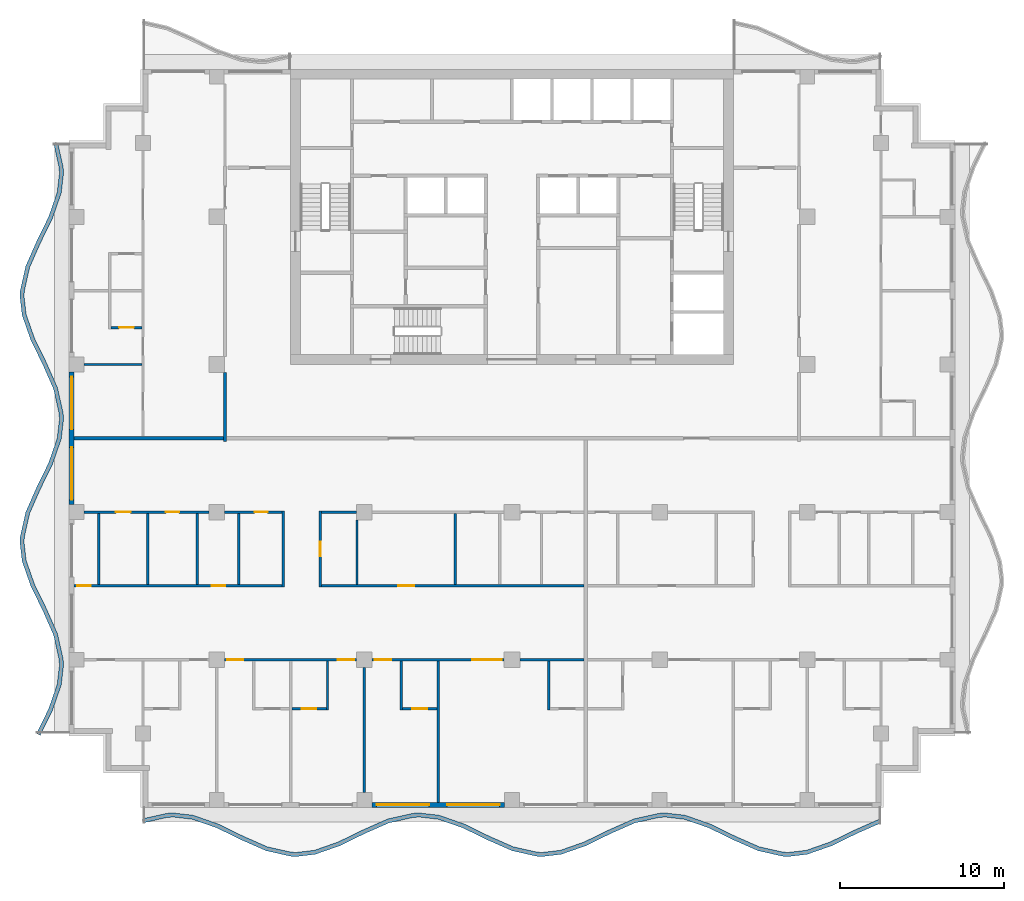
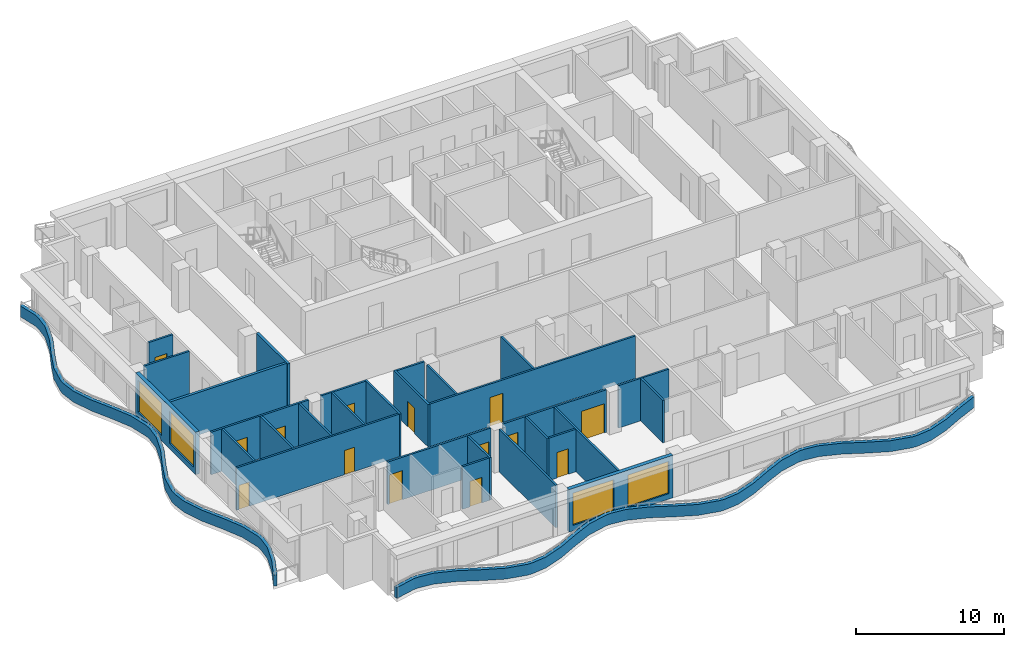
# One storey, part 2 of 11: 31 walls, 14 doors, 4 windows, 18 openings.
"""IFC4 building model written with IfcOpenShell, lengths in metres."""

from ifc_helpers import new_model, si_unit, direction, frame, frame_2d, origin, place, context, subcontext, project, spatial, polyline, rectangle, outline, extrude, material, layer, layer_set, type_object, element, fill, save


model = new_model("IFC4")

# Units and contexts
model_context = context("Model", 3, precision=1e-05, world=origin(), true_north=direction((0.0, 1.0)))
body_context = subcontext(model_context, "Body", "Model", "MODEL_VIEW")
ifc_project = project(units=[si_unit("LENGTHUNIT", "METRE"), si_unit("AREAUNIT", "SQUARE_METRE"), si_unit("VOLUMEUNIT", "CUBIC_METRE"), si_unit("PLANEANGLEUNIT", "RADIAN"), si_unit("MASSUNIT", "GRAM", prefix="KILO")], contexts=[model_context])

# Site, building, storey
site_placement = place(None, origin())
site = spatial("IfcSite", under=ifc_project, at=site_placement, CompositionType="ELEMENT")
building_placement = place(site_placement, origin())
building = spatial("IfcBuilding", under=site, at=building_placement, Name="Orbiselva Terraces", CompositionType="ELEMENT")
storey_placement = place(building_placement, frame((0.0, 0.0, 261.6)))
storey = spatial("IfcBuildingStorey", under=building, at=storey_placement, Name="L66", CompositionType="ELEMENT", Elevation=261.6)

# Walls
ifc_material_1 = material(Name="Concrete C40/50", Category="concrete")
ifc_layer_1 = layer(ifc_material_1, 0.25)
ifc_layer_set_1 = layer_set([ifc_layer_1], Name="Concrete C40/50")
wall_type_1 = type_object("IfcWallType", Name="ENV-PLANTER-250x900", PredefinedType="USERDEFINED", material=ifc_layer_set_1)
wall_1_placement = place(storey_placement, origin())
element("IfcWall", 1, at=wall_1_placement, inside=storey, type_object=wall_type_1, Name="Balcony planter L66 S", ObjectType="PLANTER", PredefinedType="USERDEFINED", context=body_context, shape_type="SweptSolid", body=[
    extrude(outline(polyline([(-22.5, -23.451472), (-21.0, -23.114774), (-20.625, -23.1), (-19.5, -23.230792), (-18.0, -23.755211), (-16.5, -24.487721), (-15.0, -25.148528), (-13.5, -25.485226), (-13.125, -25.5), (-12.0, -25.369208), (-10.5, -24.844789), (-9.0, -24.112279), (-7.5, -23.451472), (-6.0, -23.114774), (-5.625, -23.1), (-4.5, -23.230792), (-3.0, -23.755211), (-1.5, -24.487721), (0.0, -25.148528), (1.5, -25.485226), (1.875, -25.5), (3.0, -25.369208), (4.5, -24.844789), (6.0, -24.112279), (7.5, -23.451472), (9.0, -23.114774), (9.375, -23.1), (10.5, -23.230792), (12.0, -23.755211), (13.5, -24.487721), (15.0, -25.148528), (16.5, -25.485226), (16.875, -25.5), (18.0, -25.369208), (19.5, -24.844789), (21.0, -24.112279), (22.5, -23.451472), (22.399212, -23.222689), (20.894714, -23.885477), (19.40356, -24.613667), (17.943629, -25.124078), (16.865428, -25.249429), (16.532565, -25.236315), (15.078508, -24.90993), (13.605286, -24.260919), (12.09644, -23.524089), (10.556371, -22.985662), (9.384572, -22.849429), (8.967435, -22.865863), (7.421492, -23.212874), (5.894714, -23.885477), (4.40356, -24.613667), (2.943629, -25.124078), (1.865428, -25.249429), (1.532565, -25.236315), (0.078508, -24.90993), (-1.394714, -24.260919), (-2.90356, -23.524089), (-4.443629, -22.985662), (-5.615428, -22.849429), (-6.032565, -22.865863), (-7.578508, -23.212874), (-9.105286, -23.885477), (-10.59644, -24.613667), (-12.056371, -25.124078), (-13.134572, -25.249429), (-13.467435, -25.236315), (-14.921492, -24.90993), (-16.394714, -24.260919), (-17.90356, -23.524089), (-19.443629, -22.985662), (-20.615428, -22.849429), (-21.032565, -22.865863), (-22.554754, -23.207542), (-22.5, -23.451472)])), origin(), (0.0, 0.0, 1.0), 0.9),
])
wall_2_placement = place(storey_placement, origin())
element("IfcWall", 2, at=wall_2_placement, inside=storey, type_object=wall_type_1, Name="Balcony planter L66 W", ObjectType="PLANTER", PredefinedType="USERDEFINED", context=body_context, shape_type="SweptSolid", body=[
    extrude(outline(polyline([(-27.951472, 18.0), (-27.614774, 16.5), (-27.6, 16.125), (-27.730792, 15.0), (-28.255211, 13.5), (-28.987721, 12.0), (-29.648528, 10.5), (-29.985226, 9.0), (-30.0, 8.625), (-29.869208, 7.5), (-29.344789, 6.0), (-28.612279, 4.5), (-27.951472, 3.0), (-27.614774, 1.5), (-27.6, 1.125), (-27.730792, 0.0), (-28.255211, -1.5), (-28.987721, -3.0), (-29.648528, -4.5), (-29.985226, -6.0), (-30.0, -6.375), (-29.869208, -7.5), (-29.344789, -9.0), (-28.612279, -10.5), (-27.951472, -12.0), (-27.614774, -13.5), (-27.6, -13.875), (-27.730792, -15.0), (-28.255211, -16.5), (-28.987721, -18.0), (-28.763076, -18.109703), (-28.024089, -16.59644), (-27.485662, -15.056371), (-27.349429, -13.884572), (-27.365863, -13.467435), (-27.712874, -11.921492), (-28.385477, -10.394714), (-29.113667, -8.90356), (-29.624078, -7.443629), (-29.749429, -6.365428), (-29.736315, -6.032565), (-29.40993, -4.578508), (-28.760919, -3.105286), (-28.024089, -1.59644), (-27.485662, -0.056371), (-27.349429, 1.115428), (-27.365863, 1.532565), (-27.712874, 3.078508), (-28.385477, 4.605286), (-29.113667, 6.09644), (-29.624078, 7.556371), (-29.749429, 8.634572), (-29.736315, 8.967435), (-29.40993, 10.421492), (-28.760919, 11.894714), (-28.024089, 13.40356), (-27.485662, 14.943629), (-27.349429, 16.115428), (-27.365863, 16.532565), (-27.707542, 18.054754), (-27.951472, 18.0)])), origin(), (0.0, 0.0, 1.0), 0.9),
])

# Wall, openings, windows
ifc_material_2 = material(Name="Terracotta cladding on masonry backing", Category="masonry")
ifc_layer_2 = layer(ifc_material_2, 0.3)
ifc_layer_set_2 = layer_set([ifc_layer_2], Name="Terracotta cladding on masonry backing")
wall_type_2 = type_object("IfcWallType", Name="ENV-WALL-TERRACOTTA-300", PredefinedType="SOLIDWALL", material=ifc_layer_set_2)
wall_3_placement = place(storey_placement, frame((-0.45, -22.35, 0.0), z_axis=(0.0, 0.0, 1.0), x_axis=(-1.0, 0.0, 0.0)))
wall_3 = element("IfcWall", 3, at=wall_3_placement, inside=storey, type_object=wall_type_2, Name="Facade wall L66 S", PredefinedType="SOLIDWALL", context=body_context, shape_type="SweptSolid", body=[
    extrude(rectangle(XDim=8.1, YDim=0.3, at=frame_2d((4.05, 0.0))), origin(), (0.0, 0.0, 1.0), 3.5),
])
opening_1_placement = place(wall_3_placement, frame((4.6, 0.0, 0.45)))
opening_1 = element("IfcOpeningElement", 4, at=opening_1_placement, cuts=wall_3, Name="Opening WN17", PredefinedType="OPENING", context=body_context, shape_type="SweptSolid", body=[
    extrude(rectangle(XDim=3.2, YDim=2.65, at=frame_2d((1.6, 1.325))), frame((0.0, 0.16, 0.0), z_axis=(0.0, -1.0, 0.0), x_axis=(1.0, 0.0, 0.0)), (0.0, 0.0, 1.0), 0.32),
])
opening_2_placement = place(wall_3_placement, frame((0.3, 0.0, 0.45)))
opening_2 = element("IfcOpeningElement", 5, at=opening_2_placement, cuts=wall_3, Name="Opening WN17", PredefinedType="OPENING", context=body_context, shape_type="SweptSolid", body=[
    extrude(rectangle(XDim=3.2, YDim=2.65, at=frame_2d((1.6, 1.325))), frame((0.0, 0.16, 0.0), z_axis=(0.0, -1.0, 0.0), x_axis=(1.0, 0.0, 0.0)), (0.0, 0.0, 1.0), 0.32),
])
ifc_material_3 = material(Name="Clear low-e glazing in aluminium frame", Category="aluminium")
window_type = type_object("IfcWindowType", Name="WINDOW 3200 X 2650 S450", PartitioningType="TRIPLE_PANEL_VERTICAL", PredefinedType="WINDOW", material=ifc_material_3)
window_1_placement = place(opening_1_placement, origin())
window_1 = element("IfcWindow", 6, at=window_1_placement, inside=storey, type_object=window_type, Name="Window L66 S", OverallHeight=2.65, OverallWidth=3.2, PartitioningType="SINGLE_PANEL", PredefinedType="WINDOW", context=body_context, shape_type="SweptSolid", body=[
    extrude(rectangle(XDim=3.2, YDim=2.65, at=frame_2d((1.6, 1.325))), frame((0.0, 0.03, 0.0), z_axis=(0.0, -1.0, 0.0), x_axis=(1.0, 0.0, 0.0)), (0.0, 0.0, 1.0), 0.06),
])
fill(opening_1, window_1)
window_2_placement = place(opening_2_placement, origin())
window_2 = element("IfcWindow", 7, at=window_2_placement, inside=storey, type_object=window_type, Name="Window L66 S", OverallHeight=2.65, OverallWidth=3.2, PartitioningType="SINGLE_PANEL", PredefinedType="WINDOW", context=body_context, shape_type="SweptSolid", body=[
    extrude(rectangle(XDim=3.2, YDim=2.65, at=frame_2d((1.6, 1.325))), frame((0.0, 0.03, 0.0), z_axis=(0.0, -1.0, 0.0), x_axis=(1.0, 0.0, 0.0)), (0.0, 0.0, 1.0), 0.06),
])
fill(opening_2, window_2)

wall_4_placement = place(storey_placement, frame((-26.85, -4.05, 0.0), z_axis=(0.0, 0.0, 1.0), x_axis=(0.0, 1.0, 0.0)))
wall_4 = element("IfcWall", 8, at=wall_4_placement, inside=storey, type_object=wall_type_2, Name="Facade wall L66 W", PredefinedType="SOLIDWALL", context=body_context, shape_type="SweptSolid", body=[
    extrude(rectangle(XDim=8.1, YDim=0.3, at=frame_2d((4.05, 0.0))), origin(), (0.0, 0.0, 1.0), 3.5),
])
opening_3_placement = place(wall_4_placement, frame((4.6, 0.0, 0.45)))
opening_3 = element("IfcOpeningElement", 9, at=opening_3_placement, cuts=wall_4, Name="Opening WN17", PredefinedType="OPENING", context=body_context, shape_type="SweptSolid", body=[
    extrude(rectangle(XDim=3.2, YDim=2.65, at=frame_2d((1.6, 1.325))), frame((0.0, 0.16, 0.0), z_axis=(0.0, -1.0, 0.0), x_axis=(1.0, 0.0, 0.0)), (0.0, 0.0, 1.0), 0.32),
])
opening_4_placement = place(wall_4_placement, frame((0.3, 0.0, 0.45)))
opening_4 = element("IfcOpeningElement", 10, at=opening_4_placement, cuts=wall_4, Name="Opening WN17", PredefinedType="OPENING", context=body_context, shape_type="SweptSolid", body=[
    extrude(rectangle(XDim=3.2, YDim=2.65, at=frame_2d((1.6, 1.325))), frame((0.0, 0.16, 0.0), z_axis=(0.0, -1.0, 0.0), x_axis=(1.0, 0.0, 0.0)), (0.0, 0.0, 1.0), 0.32),
])
window_3_placement = place(opening_3_placement, origin())
window_3 = element("IfcWindow", 11, at=window_3_placement, inside=storey, type_object=window_type, Name="Window L66 W", OverallHeight=2.65, OverallWidth=3.2, PartitioningType="SINGLE_PANEL", PredefinedType="WINDOW", context=body_context, shape_type="SweptSolid", body=[
    extrude(rectangle(XDim=3.2, YDim=2.65, at=frame_2d((1.6, 1.325))), frame((0.0, 0.03, 0.0), z_axis=(0.0, -1.0, 0.0), x_axis=(1.0, 0.0, 0.0)), (0.0, 0.0, 1.0), 0.06),
])
fill(opening_3, window_3)
window_4_placement = place(opening_4_placement, origin())
window_4 = element("IfcWindow", 12, at=window_4_placement, inside=storey, type_object=window_type, Name="Window L66 W", OverallHeight=2.65, OverallWidth=3.2, PartitioningType="SINGLE_PANEL", PredefinedType="WINDOW", context=body_context, shape_type="SweptSolid", body=[
    extrude(rectangle(XDim=3.2, YDim=2.65, at=frame_2d((1.6, 1.325))), frame((0.0, 0.03, 0.0), z_axis=(0.0, -1.0, 0.0), x_axis=(1.0, 0.0, 0.0)), (0.0, 0.0, 1.0), 0.06),
])
fill(opening_4, window_4)

# Wall
ifc_material_4 = material(Name="Plasterboard on steel stud partition", Category="steel")
ifc_layer_3 = layer(ifc_material_4, 0.2)
ifc_layer_set_3 = layer_set([ifc_layer_3], Name="Plasterboard on steel stud partition")
wall_type_3 = type_object("IfcWallType", Name="UNIT-ENTRANCE-WALL-200", PredefinedType="PARTITIONING", material=ifc_layer_set_3)
wall_5_placement = place(storey_placement, frame((-17.5, -0.2, 0.0), z_axis=(0.0, 0.0, 1.0), x_axis=(0.0, 1.0, 0.0)))
element("IfcWall", 13, at=wall_5_placement, inside=storey, type_object=wall_type_3, Name="PARTITION L66-053", PredefinedType="PARTITIONING", context=body_context, shape_type="SweptSolid", body=[
    extrude(rectangle(XDim=4.225, YDim=0.2, at=frame_2d((2.1125, 0.0))), origin(), (0.0, 0.0, 1.0), 3.5),
])

# Wall, opening, door
ifc_layer_4 = layer(ifc_material_4, 0.15)
ifc_layer_set_4 = layer_set([ifc_layer_4], Name="Plasterboard on steel stud partition")
wall_type_4 = type_object("IfcWallType", Name="UNIT-PARTITION-150", PredefinedType="PARTITIONING", material=ifc_layer_set_4)
wall_6_placement = place(storey_placement, frame((-13.425, -16.5, 0.0), z_axis=(0.0, 0.0, 1.0), x_axis=(1.0, 0.0, 0.0)))
wall_6 = element("IfcWall", 14, at=wall_6_placement, inside=storey, type_object=wall_type_4, Name="PARTITION L66-003", PredefinedType="PARTITIONING", context=body_context, shape_type="SweptSolid", body=[
    extrude(rectangle(XDim=2.1, YDim=0.15, at=frame_2d((1.05, 0.0))), origin(), (0.0, 0.0, 1.0), 3.5),
])
opening_5_placement = place(wall_6_placement, frame((0.6, 0.0, 0.0)))
opening_5 = element("IfcOpeningElement", 15, at=opening_5_placement, cuts=wall_6, Name="Opening Z5-C-31", PredefinedType="OPENING", context=body_context, shape_type="SweptSolid", body=[
    extrude(rectangle(XDim=0.9, YDim=2.1, at=frame_2d((0.45, 1.05))), frame((0.0, 0.085, 0.0), z_axis=(0.0, -1.0, 0.0), x_axis=(1.0, 0.0, 0.0)), (0.0, 0.0, 1.0), 0.17),
])
ifc_material_5 = material(Name="Painted timber door leaf", Category="wood")
door_type_1 = type_object("IfcDoorType", Name="BATH DOOR 900", OperationType="NOTDEFINED", PredefinedType="DOOR", material=ifc_material_5)
door_1_placement = place(opening_5_placement, origin())
door_1 = element("IfcDoor", 16, at=door_1_placement, inside=storey, type_object=door_type_1, Name="Z5-C-31", OperationType="SINGLE_SWING_LEFT", OverallHeight=2.1, OverallWidth=0.9, PredefinedType="DOOR", context=body_context, shape_type="SweptSolid", body=[
    extrude(rectangle(XDim=0.9, YDim=2.1, at=frame_2d((0.45, 1.05))), frame((0.0, 0.025, 0.0), z_axis=(0.0, -1.0, 0.0), x_axis=(1.0, 0.0, 0.0)), (0.0, 0.0, 1.0), 0.05),
])
fill(opening_5, door_1)

wall_7_placement = place(storey_placement, frame((-6.675, -16.5, 0.0), z_axis=(0.0, 0.0, 1.0), x_axis=(1.0, 0.0, 0.0)))
wall_7 = element("IfcWall", 17, at=wall_7_placement, inside=storey, type_object=wall_type_4, Name="PARTITION L66-004", PredefinedType="PARTITIONING", context=body_context, shape_type="SweptSolid", body=[
    extrude(rectangle(XDim=2.1, YDim=0.15, at=frame_2d((1.05, 0.0))), origin(), (0.0, 0.0, 1.0), 3.5),
])
opening_6_placement = place(wall_7_placement, frame((0.6, 0.0, 0.0)))
opening_6 = element("IfcOpeningElement", 18, at=opening_6_placement, cuts=wall_7, Name="Opening Z5-C-29", PredefinedType="OPENING", context=body_context, shape_type="SweptSolid", body=[
    extrude(rectangle(XDim=0.9, YDim=2.1, at=frame_2d((0.45, 1.05))), frame((0.0, 0.085, 0.0), z_axis=(0.0, -1.0, 0.0), x_axis=(1.0, 0.0, 0.0)), (0.0, 0.0, 1.0), 0.17),
])
door_2_placement = place(opening_6_placement, origin())
door_2 = element("IfcDoor", 19, at=door_2_placement, inside=storey, type_object=door_type_1, Name="Z5-C-29", OperationType="SINGLE_SWING_LEFT", OverallHeight=2.1, OverallWidth=0.9, PredefinedType="DOOR", context=body_context, shape_type="SweptSolid", body=[
    extrude(rectangle(XDim=0.9, YDim=2.1, at=frame_2d((0.45, 1.05))), frame((0.0, 0.025, 0.0), z_axis=(0.0, -1.0, 0.0), x_axis=(1.0, 0.0, 0.0)), (0.0, 0.0, 1.0), 0.05),
])
fill(opening_6, door_2)

# Wall, openings, doors
wall_8_placement = place(storey_placement, frame((-9.475, -13.5, 0.0), z_axis=(0.0, 0.0, 1.0), x_axis=(-1.0, 0.0, 0.0)))
wall_8 = element("IfcWall", 20, at=wall_8_placement, inside=storey, type_object=wall_type_4, Name="PARTITION L66-010", PredefinedType="PARTITIONING", context=body_context, shape_type="SweptSolid", body=[
    extrude(rectangle(XDim=8.05, YDim=0.15, at=frame_2d((4.025, 0.0))), origin(), (0.0, 0.0, 1.0), 3.5),
])
opening_7_placement = place(wall_8_placement, frame((0.15, 0.0, 0.0)))
opening_7 = element("IfcOpeningElement", 21, at=opening_7_placement, cuts=wall_8, Name="Opening Z5-C-30", PredefinedType="OPENING", context=body_context, shape_type="SweptSolid", body=[
    extrude(rectangle(XDim=1.0, YDim=2.4, at=frame_2d((0.5, 1.2))), frame((0.0, 0.085, 0.0), z_axis=(0.0, -1.0, 0.0), x_axis=(1.0, 0.0, 0.0)), (0.0, 0.0, 1.0), 0.17),
])
opening_8_placement = place(wall_8_placement, frame((6.9, 0.0, 0.0)))
opening_8 = element("IfcOpeningElement", 22, at=opening_8_placement, cuts=wall_8, Name="Opening Z5-C-32", PredefinedType="OPENING", context=body_context, shape_type="SweptSolid", body=[
    extrude(rectangle(XDim=1.0, YDim=2.4, at=frame_2d((0.5, 1.2))), frame((0.0, 0.085, 0.0), z_axis=(0.0, -1.0, 0.0), x_axis=(1.0, 0.0, 0.0)), (0.0, 0.0, 1.0), 0.17),
])
door_type_2 = type_object("IfcDoorType", Name="ROOM DOOR 1000", OperationType="NOTDEFINED", PredefinedType="DOOR", material=ifc_material_5)
door_3_placement = place(opening_7_placement, origin())
door_3 = element("IfcDoor", 23, at=door_3_placement, inside=storey, type_object=door_type_2, Name="Z5-C-30", OperationType="SINGLE_SWING_LEFT", OverallHeight=2.4, OverallWidth=1.0, PredefinedType="DOOR", context=body_context, shape_type="SweptSolid", body=[
    extrude(rectangle(XDim=1.0, YDim=2.4, at=frame_2d((0.5, 1.2))), frame((0.0, 0.025, 0.0), z_axis=(0.0, -1.0, 0.0), x_axis=(1.0, 0.0, 0.0)), (0.0, 0.0, 1.0), 0.05),
])
fill(opening_7, door_3)
door_4_placement = place(opening_8_placement, origin())
door_4 = element("IfcDoor", 24, at=door_4_placement, inside=storey, type_object=door_type_2, Name="Z5-C-32", OperationType="SINGLE_SWING_RIGHT", OverallHeight=2.4, OverallWidth=1.0, PredefinedType="DOOR", context=body_context, shape_type="SweptSolid", body=[
    extrude(rectangle(XDim=1.0, YDim=2.4, at=frame_2d((0.5, 1.2))), frame((0.0, 0.025, 0.0), z_axis=(0.0, -1.0, 0.0), x_axis=(1.0, 0.0, 0.0)), (0.0, 0.0, 1.0), 0.05),
])
fill(opening_8, door_4)

wall_9_placement = place(storey_placement, frame((-0.475, -13.5, 0.0), z_axis=(0.0, 0.0, 1.0), x_axis=(-1.0, 0.0, 0.0)))
wall_9 = element("IfcWall", 25, at=wall_9_placement, inside=storey, type_object=wall_type_4, Name="PARTITION L66-011", PredefinedType="PARTITIONING", context=body_context, shape_type="SweptSolid", body=[
    extrude(rectangle(XDim=8.05, YDim=0.15, at=frame_2d((4.025, 0.0))), origin(), (0.0, 0.0, 1.0), 3.5),
])
opening_9_placement = place(wall_9_placement, frame((0.15, 0.0, 0.0)))
opening_9 = element("IfcOpeningElement", 26, at=opening_9_placement, cuts=wall_9, Name="Opening Z5-C-26", PredefinedType="OPENING", context=body_context, shape_type="SweptSolid", body=[
    extrude(rectangle(XDim=1.8, YDim=2.4, at=frame_2d((0.9, 1.2))), frame((0.0, 0.085, 0.0), z_axis=(0.0, -1.0, 0.0), x_axis=(1.0, 0.0, 0.0)), (0.0, 0.0, 1.0), 0.17),
])
opening_10_placement = place(wall_9_placement, frame((6.9, 0.0, 0.0)))
opening_10 = element("IfcOpeningElement", 27, at=opening_10_placement, cuts=wall_9, Name="Opening Z5-C-28", PredefinedType="OPENING", context=body_context, shape_type="SweptSolid", body=[
    extrude(rectangle(XDim=1.0, YDim=2.4, at=frame_2d((0.5, 1.2))), frame((0.0, 0.085, 0.0), z_axis=(0.0, -1.0, 0.0), x_axis=(1.0, 0.0, 0.0)), (0.0, 0.0, 1.0), 0.17),
])
door_type_3 = type_object("IfcDoorType", Name="DOUBLE DOOR 1800", OperationType="NOTDEFINED", PredefinedType="DOOR", material=ifc_material_5)
door_5_placement = place(opening_9_placement, origin())
door_5 = element("IfcDoor", 28, at=door_5_placement, inside=storey, type_object=door_type_3, Name="Z5-C-26", OperationType="DOUBLE_DOOR_SINGLE_SWING", OverallHeight=2.4, OverallWidth=1.8, PredefinedType="DOOR", context=body_context, shape_type="SweptSolid", body=[
    extrude(rectangle(XDim=1.8, YDim=2.4, at=frame_2d((0.9, 1.2))), frame((0.0, 0.025, 0.0), z_axis=(0.0, -1.0, 0.0), x_axis=(1.0, 0.0, 0.0)), (0.0, 0.0, 1.0), 0.05),
])
fill(opening_9, door_5)
door_6_placement = place(opening_10_placement, origin())
door_6 = element("IfcDoor", 29, at=door_6_placement, inside=storey, type_object=door_type_2, Name="Z5-C-28", OperationType="SINGLE_SWING_RIGHT", OverallHeight=2.4, OverallWidth=1.0, PredefinedType="DOOR", context=body_context, shape_type="SweptSolid", body=[
    extrude(rectangle(XDim=1.0, YDim=2.4, at=frame_2d((0.5, 1.2))), frame((0.0, 0.025, 0.0), z_axis=(0.0, -1.0, 0.0), x_axis=(1.0, 0.0, 0.0)), (0.0, 0.0, 1.0), 0.05),
])
fill(opening_10, door_6)

# Wall
wall_10_placement = place(storey_placement, frame((0.475, -13.5, 0.0), z_axis=(0.0, 0.0, 1.0), x_axis=(1.0, 0.0, 0.0)))
element("IfcWall", 30, at=wall_10_placement, inside=storey, type_object=wall_type_4, Name="PARTITION L66-012", PredefinedType="PARTITIONING", context=body_context, shape_type="SweptSolid", body=[
    extrude(rectangle(XDim=3.925, YDim=0.15, at=frame_2d((1.9625, 0.0))), origin(), (0.0, 0.0, 1.0), 3.5),
])

# Wall, openings, doors
wall_11_placement = place(storey_placement, frame((-26.7, -9.0, 0.0), z_axis=(0.0, 0.0, 1.0), x_axis=(1.0, 0.0, 0.0)))
wall_11 = element("IfcWall", 31, at=wall_11_placement, inside=storey, type_object=wall_type_4, Name="PARTITION L66-016", PredefinedType="PARTITIONING", context=body_context, shape_type="SweptSolid", body=[
    extrude(rectangle(XDim=12.675, YDim=0.15, at=frame_2d((6.3375, 0.0))), origin(), (0.0, 0.0, 1.0), 3.5),
])
opening_11_placement = place(wall_11_placement, frame((8.4, 0.0, 0.0)))
opening_11 = element("IfcOpeningElement", 32, at=opening_11_placement, cuts=wall_11, Name="Opening Z5-C-22", PredefinedType="OPENING", context=body_context, shape_type="SweptSolid", body=[
    extrude(rectangle(XDim=0.8, YDim=2.0, at=frame_2d((0.4, 1.0))), frame((0.0, 0.085, 0.0), z_axis=(0.0, -1.0, 0.0), x_axis=(1.0, 0.0, 0.0)), (0.0, 0.0, 1.0), 0.17),
])
opening_12_placement = place(wall_11_placement, frame((0.2, 0.0, 0.0)))
opening_12 = element("IfcOpeningElement", 33, at=opening_12_placement, cuts=wall_11, Name="Opening Z5-C-25", PredefinedType="OPENING", context=body_context, shape_type="SweptSolid", body=[
    extrude(rectangle(XDim=0.8, YDim=2.0, at=frame_2d((0.4, 1.0))), frame((0.0, 0.085, 0.0), z_axis=(0.0, -1.0, 0.0), x_axis=(1.0, 0.0, 0.0)), (0.0, 0.0, 1.0), 0.17),
])
door_type_4 = type_object("IfcDoorType", Name="STORE DOOR 800", OperationType="NOTDEFINED", PredefinedType="DOOR", material=ifc_material_5)
door_7_placement = place(opening_11_placement, origin())
door_7 = element("IfcDoor", 34, at=door_7_placement, inside=storey, type_object=door_type_4, Name="Z5-C-22", OperationType="SINGLE_SWING_RIGHT", OverallHeight=2.0, OverallWidth=0.8, PredefinedType="DOOR", context=body_context, shape_type="SweptSolid", body=[
    extrude(rectangle(XDim=0.8, YDim=2.0, at=frame_2d((0.4, 1.0))), frame((0.0, 0.025, 0.0), z_axis=(0.0, -1.0, 0.0), x_axis=(1.0, 0.0, 0.0)), (0.0, 0.0, 1.0), 0.05),
])
fill(opening_11, door_7)
door_8_placement = place(opening_12_placement, origin())
door_8 = element("IfcDoor", 35, at=door_8_placement, inside=storey, type_object=door_type_4, Name="Z5-C-25", OperationType="SINGLE_SWING_LEFT", OverallHeight=2.0, OverallWidth=0.8, PredefinedType="DOOR", context=body_context, shape_type="SweptSolid", body=[
    extrude(rectangle(XDim=0.8, YDim=2.0, at=frame_2d((0.4, 1.0))), frame((0.0, 0.025, 0.0), z_axis=(0.0, -1.0, 0.0), x_axis=(1.0, 0.0, 0.0)), (0.0, 0.0, 1.0), 0.05),
])
fill(opening_12, door_8)

# Wall, opening, door
wall_12_placement = place(storey_placement, frame((-11.625, -9.0, 0.0), z_axis=(0.0, 0.0, 1.0), x_axis=(1.0, 0.0, 0.0)))
wall_12 = element("IfcWall", 36, at=wall_12_placement, inside=storey, type_object=wall_type_4, Name="PARTITION L66-017", PredefinedType="PARTITIONING", context=body_context, shape_type="SweptSolid", body=[
    extrude(rectangle(XDim=16.025, YDim=0.15, at=frame_2d((8.0125, 0.0))), origin(), (0.0, 0.0, 1.0), 3.5),
])
opening_13_placement = place(wall_12_placement, frame((4.675, 0.0, 0.0)))
opening_13 = element("IfcOpeningElement", 37, at=opening_13_placement, cuts=wall_12, Name="Opening Z5-C-19", PredefinedType="OPENING", context=body_context, shape_type="SweptSolid", body=[
    extrude(rectangle(XDim=1.0, YDim=2.4, at=frame_2d((0.5, 1.2))), frame((0.0, 0.085, 0.0), z_axis=(0.0, -1.0, 0.0), x_axis=(1.0, 0.0, 0.0)), (0.0, 0.0, 1.0), 0.17),
])
door_9_placement = place(opening_13_placement, origin())
door_9 = element("IfcDoor", 38, at=door_9_placement, inside=storey, type_object=door_type_2, Name="Z5-C-19", OperationType="SINGLE_SWING_LEFT", OverallHeight=2.4, OverallWidth=1.0, PredefinedType="DOOR", context=body_context, shape_type="SweptSolid", body=[
    extrude(rectangle(XDim=1.0, YDim=2.4, at=frame_2d((0.5, 1.2))), frame((0.0, 0.025, 0.0), z_axis=(0.0, -1.0, 0.0), x_axis=(1.0, 0.0, 0.0)), (0.0, 0.0, 1.0), 0.05),
])
fill(opening_13, door_9)

# Wall, openings, doors
wall_13_placement = place(storey_placement, frame((-18.475, -4.5, 0.0), z_axis=(0.0, 0.0, 1.0), x_axis=(-1.0, 0.0, 0.0)))
wall_13 = element("IfcWall", 39, at=wall_13_placement, inside=storey, type_object=wall_type_4, Name="PARTITION L66-020", PredefinedType="PARTITIONING", context=body_context, shape_type="SweptSolid", body=[
    extrude(rectangle(XDim=7.625, YDim=0.15, at=frame_2d((3.8125, 0.0))), origin(), (0.0, 0.0, 1.0), 3.5),
])
opening_14_placement = place(wall_13_placement, frame((1.825, 0.0, 0.0)))
opening_14 = element("IfcOpeningElement", 40, at=opening_14_placement, cuts=wall_13, Name="Opening Z5-C-23", PredefinedType="OPENING", context=body_context, shape_type="SweptSolid", body=[
    extrude(rectangle(XDim=0.8, YDim=2.0, at=frame_2d((0.4, 1.0))), frame((0.0, 0.085, 0.0), z_axis=(0.0, -1.0, 0.0), x_axis=(1.0, 0.0, 0.0)), (0.0, 0.0, 1.0), 0.17),
])
opening_15_placement = place(wall_13_placement, frame((4.775, 0.0, 0.0)))
opening_15 = element("IfcOpeningElement", 41, at=opening_15_placement, cuts=wall_13, Name="Opening Z5-C-24", PredefinedType="OPENING", context=body_context, shape_type="SweptSolid", body=[
    extrude(rectangle(XDim=0.9, YDim=2.1, at=frame_2d((0.45, 1.05))), frame((0.0, 0.085, 0.0), z_axis=(0.0, -1.0, 0.0), x_axis=(1.0, 0.0, 0.0)), (0.0, 0.0, 1.0), 0.17),
])
door_type_5 = type_object("IfcDoorType", Name="SERVICE DOOR 900", OperationType="NOTDEFINED", PredefinedType="DOOR", material=ifc_material_5)
door_10_placement = place(opening_15_placement, origin())
door_10 = element("IfcDoor", 42, at=door_10_placement, inside=storey, type_object=door_type_5, Name="Z5-C-24", OperationType="SINGLE_SWING_RIGHT", OverallHeight=2.1, OverallWidth=0.9, PredefinedType="DOOR", context=body_context, shape_type="SweptSolid", body=[
    extrude(rectangle(XDim=0.9, YDim=2.1, at=frame_2d((0.45, 1.05))), frame((0.0, 0.025, 0.0), z_axis=(0.0, -1.0, 0.0), x_axis=(1.0, 0.0, 0.0)), (0.0, 0.0, 1.0), 0.05),
])
fill(opening_15, door_10)
door_11_placement = place(opening_14_placement, origin())
door_11 = element("IfcDoor", 43, at=door_11_placement, inside=storey, type_object=door_type_4, Name="Z5-C-23", OperationType="SINGLE_SWING_LEFT", OverallHeight=2.0, OverallWidth=0.8, PredefinedType="DOOR", context=body_context, shape_type="SweptSolid", body=[
    extrude(rectangle(XDim=0.8, YDim=2.0, at=frame_2d((0.4, 1.0))), frame((0.0, 0.025, 0.0), z_axis=(0.0, -1.0, 0.0), x_axis=(1.0, 0.0, 0.0)), (0.0, 0.0, 1.0), 0.05),
])
fill(opening_14, door_11)

# Wall, opening, door
wall_14_placement = place(storey_placement, frame((-14.025, -4.5, 0.0), z_axis=(0.0, 0.0, 1.0), x_axis=(-1.0, 0.0, 0.0)))
wall_14 = element("IfcWall", 44, at=wall_14_placement, inside=storey, type_object=wall_type_4, Name="PARTITION L66-021", PredefinedType="PARTITIONING", context=body_context, shape_type="SweptSolid", body=[
    extrude(rectangle(XDim=3.5, YDim=0.15, at=frame_2d((1.75, 0.0))), origin(), (0.0, 0.0, 1.0), 3.5),
])
opening_16_placement = place(wall_14_placement, frame((0.875, 0.0, 0.0)))
opening_16 = element("IfcOpeningElement", 45, at=opening_16_placement, cuts=wall_14, Name="Opening Z5-C-21", PredefinedType="OPENING", context=body_context, shape_type="SweptSolid", body=[
    extrude(rectangle(XDim=0.8, YDim=2.0, at=frame_2d((0.4, 1.0))), frame((0.0, 0.085, 0.0), z_axis=(0.0, -1.0, 0.0), x_axis=(1.0, 0.0, 0.0)), (0.0, 0.0, 1.0), 0.17),
])
door_12_placement = place(opening_16_placement, origin())
door_12 = element("IfcDoor", 46, at=door_12_placement, inside=storey, type_object=door_type_4, Name="Z5-C-21", OperationType="SINGLE_SWING_LEFT", OverallHeight=2.0, OverallWidth=0.8, PredefinedType="DOOR", context=body_context, shape_type="SweptSolid", body=[
    extrude(rectangle(XDim=0.8, YDim=2.0, at=frame_2d((0.4, 1.0))), frame((0.0, 0.025, 0.0), z_axis=(0.0, -1.0, 0.0), x_axis=(1.0, 0.0, 0.0)), (0.0, 0.0, 1.0), 0.05),
])
fill(opening_16, door_12)

# Walls
wall_15_placement = place(storey_placement, frame((-11.625, -4.5, 0.0), z_axis=(0.0, 0.0, 1.0), x_axis=(1.0, 0.0, 0.0)))
element("IfcWall", 47, at=wall_15_placement, inside=storey, type_object=wall_type_4, Name="PARTITION L66-022", PredefinedType="PARTITIONING", context=body_context, shape_type="SweptSolid", body=[
    extrude(rectangle(XDim=2.15, YDim=0.15, at=frame_2d((1.075, 0.0))), origin(), (0.0, 0.0, 1.0), 3.5),
])
wall_16_placement = place(storey_placement, frame((-26.1, 4.5, 0.0), z_axis=(0.0, 0.0, 1.0), x_axis=(1.0, 0.0, 0.0)))
element("IfcWall", 48, at=wall_16_placement, inside=storey, type_object=wall_type_4, Name="PARTITION L66-033", PredefinedType="PARTITIONING", context=body_context, shape_type="SweptSolid", body=[
    extrude(rectangle(XDim=3.525, YDim=0.15, at=frame_2d((1.7625, 0.0))), origin(), (0.0, 0.0, 1.0), 3.5),
])

# Wall, opening, door
wall_17_placement = place(storey_placement, frame((-24.45, 6.75, 0.0), z_axis=(0.0, 0.0, 1.0), x_axis=(1.0, 0.0, 0.0)))
wall_17 = element("IfcWall", 49, at=wall_17_placement, inside=storey, type_object=wall_type_4, Name="PARTITION L66-034", PredefinedType="PARTITIONING", context=body_context, shape_type="SweptSolid", body=[
    extrude(rectangle(XDim=1.875, YDim=0.15, at=frame_2d((0.9375, 0.0))), origin(), (0.0, 0.0, 1.0), 3.5),
])
opening_17_placement = place(wall_17_placement, frame((0.5, 0.0, 0.0)))
opening_17 = element("IfcOpeningElement", 50, at=opening_17_placement, cuts=wall_17, Name="Opening Z5-C-06", PredefinedType="OPENING", context=body_context, shape_type="SweptSolid", body=[
    extrude(rectangle(XDim=0.9, YDim=2.1, at=frame_2d((0.45, 1.05))), frame((0.0, 0.085, 0.0), z_axis=(0.0, -1.0, 0.0), x_axis=(1.0, 0.0, 0.0)), (0.0, 0.0, 1.0), 0.17),
])
door_13_placement = place(opening_17_placement, origin())
door_13 = element("IfcDoor", 51, at=door_13_placement, inside=storey, type_object=door_type_1, Name="Z5-C-06", OperationType="SINGLE_SWING_RIGHT", OverallHeight=2.1, OverallWidth=0.9, PredefinedType="DOOR", context=body_context, shape_type="SweptSolid", body=[
    extrude(rectangle(XDim=0.9, YDim=2.1, at=frame_2d((0.45, 1.05))), frame((0.0, 0.025, 0.0), z_axis=(0.0, -1.0, 0.0), x_axis=(1.0, 0.0, 0.0)), (0.0, 0.0, 1.0), 0.05),
])
fill(opening_17, door_13)

# Walls
for number, where, z_axis, x_axis, name in (
    (52, (-25.2, -8.925, 0.0), (0.0, 0.0, 1.0), (0.0, 1.0, 0.0), "PARTITION L66-043"),
    (53, (-22.2, -8.925, 0.0), (0.0, 0.0, 1.0), (0.0, 1.0, 0.0), "PARTITION L66-049"),
    (54, (-19.2, -8.925, 0.0), (0.0, 0.0, 1.0), (0.0, 1.0, 0.0), "PARTITION L66-051"),
    (55, (-16.65, -8.925, 0.0), (0.0, 0.0, 1.0), (0.0, 1.0, 0.0), "PARTITION L66-057"),
):
    element("IfcWall", number, at=place(storey_placement, frame(where, z_axis=z_axis, x_axis=x_axis)), inside=storey, type_object=wall_type_4, Name=name, PredefinedType="PARTITIONING", context=body_context, shape_type="SweptSolid", body=[
        extrude(rectangle(XDim=4.35, YDim=0.15, at=frame_2d((2.175, 0.0))), origin(), (0.0, 0.0, 1.0), 3.5),
    ])
wall_18_placement = place(storey_placement, frame((-13.95, -9.075, 0.0), z_axis=(0.0, 0.0, 1.0), x_axis=(0.0, 1.0, 0.0)))
element("IfcWall", 56, at=wall_18_placement, inside=storey, type_object=wall_type_4, Name="PARTITION L66-059", PredefinedType="PARTITIONING", context=body_context, shape_type="SweptSolid", body=[
    extrude(rectangle(XDim=4.65, YDim=0.15, at=frame_2d((2.325, 0.0))), origin(), (0.0, 0.0, 1.0), 3.5),
])

# Wall, opening, door
wall_19_placement = place(storey_placement, frame((-11.7, -4.425, 0.0), z_axis=(0.0, 0.0, 1.0), x_axis=(0.0, -1.0, 0.0)))
wall_19 = element("IfcWall", 57, at=wall_19_placement, inside=storey, type_object=wall_type_4, Name="PARTITION L66-061", PredefinedType="PARTITIONING", context=body_context, shape_type="SweptSolid", body=[
    extrude(rectangle(XDim=4.65, YDim=0.15, at=frame_2d((2.325, 0.0))), origin(), (0.0, 0.0, 1.0), 3.5),
])
opening_18_placement = place(wall_19_placement, frame((1.875, 0.0, 0.0)))
opening_18 = element("IfcOpeningElement", 58, at=opening_18_placement, cuts=wall_19, Name="Opening Z5-C-20", PredefinedType="OPENING", context=body_context, shape_type="SweptSolid", body=[
    extrude(rectangle(XDim=0.9, YDim=2.1, at=frame_2d((0.45, 1.05))), frame((0.0, 0.085, 0.0), z_axis=(0.0, -1.0, 0.0), x_axis=(1.0, 0.0, 0.0)), (0.0, 0.0, 1.0), 0.17),
])
door_14_placement = place(opening_18_placement, origin())
door_14 = element("IfcDoor", 59, at=door_14_placement, inside=storey, type_object=door_type_1, Name="Z5-C-20", OperationType="SINGLE_SWING_RIGHT", OverallHeight=2.1, OverallWidth=0.9, PredefinedType="DOOR", context=body_context, shape_type="SweptSolid", body=[
    extrude(rectangle(XDim=0.9, YDim=2.1, at=frame_2d((0.45, 1.05))), frame((0.0, 0.025, 0.0), z_axis=(0.0, -1.0, 0.0), x_axis=(1.0, 0.0, 0.0)), (0.0, 0.0, 1.0), 0.05),
])
fill(opening_18, door_14)

# Walls
wall_20_placement = place(storey_placement, frame((-11.25, -16.575, 0.0), z_axis=(0.0, 0.0, 1.0), x_axis=(0.0, 1.0, 0.0)))
element("IfcWall", 60, at=wall_20_placement, inside=storey, type_object=wall_type_4, Name="PARTITION L66-062", PredefinedType="PARTITIONING", context=body_context, shape_type="SweptSolid", body=[
    extrude(rectangle(XDim=3.0, YDim=0.15, at=frame_2d((1.5, 0.0))), origin(), (0.0, 0.0, 1.0), 3.5),
])
wall_21_placement = place(storey_placement, frame((-9.45, -8.925, 0.0), z_axis=(0.0, 0.0, 1.0), x_axis=(0.0, 1.0, 0.0)))
element("IfcWall", 61, at=wall_21_placement, inside=storey, type_object=wall_type_4, Name="PARTITION L66-063", PredefinedType="PARTITIONING", context=body_context, shape_type="SweptSolid", body=[
    extrude(rectangle(XDim=3.95, YDim=0.15, at=frame_2d((1.975, 0.0))), origin(), (0.0, 0.0, 1.0), 3.5),
])
wall_22_placement = place(storey_placement, frame((-9.0, -21.6, 0.0), z_axis=(0.0, 0.0, 1.0), x_axis=(0.0, 1.0, 0.0)))
element("IfcWall", 62, at=wall_22_placement, inside=storey, type_object=wall_type_4, Name="PARTITION L66-064", PredefinedType="PARTITIONING", context=body_context, shape_type="SweptSolid", body=[
    extrude(rectangle(XDim=7.625, YDim=0.15, at=frame_2d((3.8125, 0.0))), origin(), (0.0, 0.0, 1.0), 3.5),
])
wall_23_placement = place(storey_placement, frame((-6.75, -16.575, 0.0), z_axis=(0.0, 0.0, 1.0), x_axis=(0.0, 1.0, 0.0)))
element("IfcWall", 63, at=wall_23_placement, inside=storey, type_object=wall_type_4, Name="PARTITION L66-065", PredefinedType="PARTITIONING", context=body_context, shape_type="SweptSolid", body=[
    extrude(rectangle(XDim=3.0, YDim=0.15, at=frame_2d((1.5, 0.0))), origin(), (0.0, 0.0, 1.0), 3.5),
])
wall_24_placement = place(storey_placement, frame((-4.5, -22.2, 0.0), z_axis=(0.0, 0.0, 1.0), x_axis=(0.0, 1.0, 0.0)))
element("IfcWall", 64, at=wall_24_placement, inside=storey, type_object=wall_type_4, Name="PARTITION L66-066", PredefinedType="PARTITIONING", context=body_context, shape_type="SweptSolid", body=[
    extrude(rectangle(XDim=8.625, YDim=0.15, at=frame_2d((4.3125, 0.0))), origin(), (0.0, 0.0, 1.0), 3.5),
])
wall_25_placement = place(storey_placement, frame((-3.45, -8.925, 0.0), z_axis=(0.0, 0.0, 1.0), x_axis=(0.0, 1.0, 0.0)))
element("IfcWall", 65, at=wall_25_placement, inside=storey, type_object=wall_type_4, Name="PARTITION L66-067", PredefinedType="PARTITIONING", context=body_context, shape_type="SweptSolid", body=[
    extrude(rectangle(XDim=4.35, YDim=0.15, at=frame_2d((2.175, 0.0))), origin(), (0.0, 0.0, 1.0), 3.5),
])
wall_26_placement = place(storey_placement, frame((2.25, -16.575, 0.0), z_axis=(0.0, 0.0, 1.0), x_axis=(0.0, 1.0, 0.0)))
element("IfcWall", 66, at=wall_26_placement, inside=storey, type_object=wall_type_4, Name="PARTITION L66-070", PredefinedType="PARTITIONING", context=body_context, shape_type="SweptSolid", body=[
    extrude(rectangle(XDim=3.0, YDim=0.15, at=frame_2d((1.5, 0.0))), origin(), (0.0, 0.0, 1.0), 3.5),
])
ifc_layer_5 = layer(ifc_material_4, 0.2)
ifc_layer_set_5 = layer_set([ifc_layer_5], Name="Plasterboard on steel stud partition")
wall_type_5 = type_object("IfcWallType", Name="UNIT-PARTY-WALL-200", PredefinedType="PARTITIONING", material=ifc_layer_set_5)
wall_27_placement = place(storey_placement, frame((-26.7, 0.0, 0.0), z_axis=(0.0, 0.0, 1.0), x_axis=(1.0, 0.0, 0.0)))
element("IfcWall", 67, at=wall_27_placement, inside=storey, type_object=wall_type_5, Name="PARTITION L66-030", PredefinedType="PARTITIONING", context=body_context, shape_type="SweptSolid", body=[
    extrude(rectangle(XDim=9.1, YDim=0.2, at=frame_2d((4.55, 0.0))), origin(), (0.0, 0.0, 1.0), 3.5),
])

save(model, "model.ifc")
